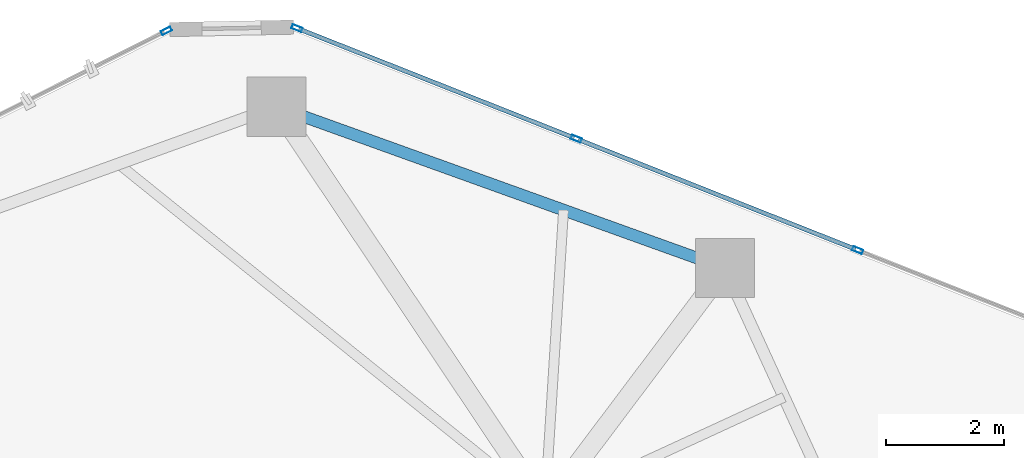
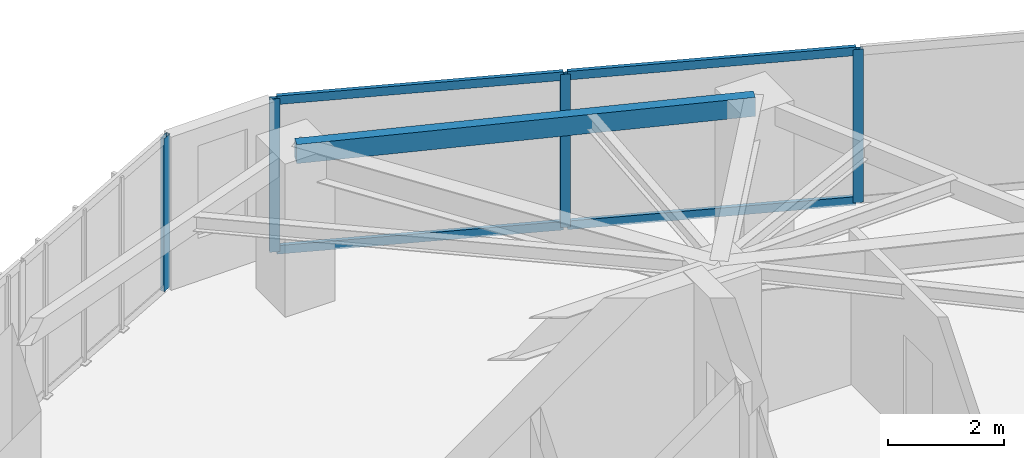
# One storey, part 14 of 20: 8 members, 1 beam, 2 elements without a shape of their own.
"""IFC4 building model written with IfcOpenShell, lengths in metres."""

from ifc_helpers import new_model, si_unit, direction, frame, origin, origin_2d, place, context, subcontext, project, spatial, hollow_rectangle, extrude, source, transform, mapped, material, layer, layer_set, material_profile, profile_set, type_object, type_shapes, element, aggregate, save


model = new_model("IFC4")

# Units and contexts
model_context = context("Model", 3, precision=1e-05, world=origin(), true_north=direction((0.0, 1.0)))
body_context = subcontext(model_context, "Body", "Model", "MODEL_VIEW")
ifc_project = project(units=[si_unit("LENGTHUNIT", "METRE"), si_unit("AREAUNIT", "SQUARE_METRE"), si_unit("VOLUMEUNIT", "CUBIC_METRE"), si_unit("PLANEANGLEUNIT", "RADIAN"), si_unit("MASSUNIT", "GRAM", prefix="KILO")], contexts=[model_context])

# Site, building, storey
site_placement = place(None, origin())
site = spatial("IfcSite", under=ifc_project, at=site_placement, CompositionType="ELEMENT")
building_placement = place(site_placement, origin())
building = spatial("IfcBuilding", under=site, at=building_placement, Name="Talar Marvaseh", CompositionType="ELEMENT")
storey_placement = place(building_placement, frame((0.0, 0.0, 170.5)))
storey = spatial("IfcBuildingStorey", under=building, at=storey_placement, Name="L44", CompositionType="ELEMENT", Elevation=170.5)

# Beam
ifc_material_1 = material(Name="Steel S355", Category="steel")
ifc_material_profile_1 = material_profile(ifc_material_1, hollow_rectangle(XDim=0.199951171875, YDim=0.39990234375, WallThickness=0.013916015625, at=origin_2d()), Name="RHS400x200x14")
ifc_profile_set_1 = profile_set([ifc_material_profile_1], Name="Steel S355")
beam_type = type_object("IfcBeamType", Name="Zone 3 Perimeter Spandrel Beam RHS400x200x14", PredefinedType="SPANDREL", material=ifc_profile_set_1)
beam_placement = place(storey_placement, frame((28.76611328125, 43.66796875, 3.030029296875), z_axis=(0.940923359576, -0.3386195969, 0.0), x_axis=(0.3386195969, 0.940923359576, 0.0)))
element("IfcBeam", 1, at=beam_placement, inside=storey, type_object=beam_type, Name="L44 Zone 3 Perimeter Spandrel Beam RHS400x200x14", PredefinedType="SPANDREL", context=body_context, shape_type="SweptSolid", body=[
    extrude(hollow_rectangle(XDim=0.199951171875, YDim=0.39990234375, WallThickness=0.013916015625, at=origin_2d()), origin(), (0.0, 0.0, 1.0), 8.050537109375),
])

# Curtain wall, member
ifc_material_2 = material(Name="Architectural Aluminium", Category="aluminium")
ifc_layer = layer(ifc_material_2, 0.18994140625)
ifc_layer_set = layer_set([ifc_layer], Name="Architectural Aluminium")
curtain_wall_type = type_object("IfcCurtainWallType", Name="Unitised Solar Atelier Curtain Wall Z3", PredefinedType="NOTDEFINED", material=ifc_layer_set)
curtain_wall_1_placement = place(storey_placement, origin())
curtain_wall_1 = element("IfcCurtainWall", 2, at=curtain_wall_1_placement, inside=storey, type_object=curtain_wall_type, Name="L44 Unitised Solar Atelier Curtain Wall Z3", PredefinedType="NOTDEFINED")
ifc_material_profile_2 = material_profile(ifc_material_2, hollow_rectangle(XDim=0.074951171875, YDim=0.179931640625, WallThickness=0.0048828125, at=origin_2d()), Name="RHS180x75x5")
ifc_profile_set_2 = profile_set([ifc_material_profile_2], Name="Architectural Aluminium")
member_type_1 = type_object("IfcMemberType", Name="Unitised Curtain Wall Standard Mullion RHS180x75x5", PredefinedType="MULLION", material=ifc_profile_set_2)
shared_shape_1 = source(origin(), body_context, "Body", "SweptSolid", [
    extrude(hollow_rectangle(XDim=0.074951171875, YDim=0.179931640625, WallThickness=0.0048828125, at=origin_2d()), origin(), (0.0, 0.0, 1.0), 3.22998046875),
])
type_shapes(member_type_1, [shared_shape_1])
member_1_placement = place(storey_placement, frame((26.90380859375, 44.949462890625, 0.0), z_axis=(0.0, 0.0, 1.0), x_axis=(-0.449042006912, 0.893510646847, 0.0)))
member_1 = element("IfcMember", 3, at=member_1_placement, type_object=member_type_1, Name="CW-Z3 mullion 4", PredefinedType="MULLION", context=body_context, shape_type="MappedRepresentation", body=[
    mapped(shared_shape_1, transform((0.0, 0.0, 0.0), x_axis=(1.0, 0.0, 0.0), y_axis=(0.0, 1.0, 0.0), z_axis=(0.0, 0.0, 1.0), scale=1.0)),
])
aggregate(curtain_wall_1, [member_1])

# Curtain wall, members
curtain_wall_2_placement = place(storey_placement, origin())
curtain_wall_2 = element("IfcCurtainWall", 4, at=curtain_wall_2_placement, inside=storey, type_object=curtain_wall_type, Name="L44 Unitised Solar Atelier Curtain Wall Z3", PredefinedType="NOTDEFINED")
member_2_placement = place(storey_placement, frame((29.109375, 44.99560546875, 0.0), z_axis=(0.0, 0.0, 1.0), x_axis=(0.368062306707, 0.929801128404, 0.0)))
member_2 = element("IfcMember", 5, at=member_2_placement, type_object=member_type_1, Name="CW-Z3 mullion 1", PredefinedType="MULLION", context=body_context, shape_type="MappedRepresentation", body=[
    mapped(shared_shape_1, transform((0.0, 0.0, 0.0), x_axis=(1.0, 0.0, 0.0), y_axis=(0.0, 1.0, 0.0), z_axis=(0.0, 0.0, 1.0), scale=1.0)),
])
member_3_placement = place(storey_placement, frame((33.82861328125, 43.12744140625, 0.0), z_axis=(0.0, 0.0, 1.0), x_axis=(0.368062306707, 0.929801128404, 0.0)))
member_3 = element("IfcMember", 6, at=member_3_placement, type_object=member_type_1, Name="CW-Z3 mullion 2", PredefinedType="MULLION", context=body_context, shape_type="MappedRepresentation", body=[
    mapped(shared_shape_1, transform((0.0, 0.0, 0.0), x_axis=(1.0, 0.0, 0.0), y_axis=(0.0, 1.0, 0.0), z_axis=(0.0, 0.0, 1.0), scale=1.0)),
])
member_4_placement = place(storey_placement, frame((38.58251953125, 41.24560546875, 0.0), z_axis=(0.0, 0.0, 1.0), x_axis=(0.368062306707, 0.929801128404, 0.0)))
member_4 = element("IfcMember", 7, at=member_4_placement, type_object=member_type_1, Name="CW-Z3 mullion 3", PredefinedType="MULLION", context=body_context, shape_type="MappedRepresentation", body=[
    mapped(shared_shape_1, transform((0.0, 0.0, 0.0), x_axis=(1.0, 0.0, 0.0), y_axis=(0.0, 1.0, 0.0), z_axis=(0.0, 0.0, 1.0), scale=1.0)),
])
ifc_material_profile_3 = material_profile(ifc_material_2, hollow_rectangle(XDim=0.074951171875, YDim=0.179931640625, WallThickness=0.0048828125, at=origin_2d()), Name="RHS180x75x5")
ifc_profile_set_3 = profile_set([ifc_material_profile_3], Name="Architectural Aluminium")
member_type_2 = type_object("IfcMemberType", Name="Unitised Curtain Wall Transom RHS180x75x5", PredefinedType="USERDEFINED", material=ifc_profile_set_3)
shared_shape_2 = source(origin(), body_context, "Body", "SweptSolid", [
    extrude(hollow_rectangle(XDim=0.074951171875, YDim=0.179931640625, WallThickness=0.0048828125, at=origin_2d()), origin(), (0.0, 0.0, 1.0), 5.0380859375),
])
member_5_placement = place(storey_placement, frame((33.863525390625, 43.11376953125, 0.03759765625), z_axis=(0.929804194592, -0.368054560792, 0.0), x_axis=(0.368054560792, 0.929804194592, 0.0)))
member_5 = element("IfcMember", 8, at=member_5_placement, type_object=member_type_2, Name="CW-Z3 transom 2.1", ObjectType="TRANSOM", PredefinedType="USERDEFINED", context=body_context, shape_type="MappedRepresentation", body=[
    mapped(shared_shape_2, transform((0.0, 0.0, 0.0), x_axis=(1.0, 0.0, 0.0), y_axis=(0.0, 1.0, 0.0), z_axis=(0.0, 0.0, 1.0), scale=1.0)),
])
member_6_placement = place(storey_placement, frame((33.863525390625, 43.11376953125, 3.1923828125), z_axis=(0.929804194592, -0.368054560792, 0.0), x_axis=(0.368054560792, 0.929804194592, 0.0)))
member_6 = element("IfcMember", 9, at=member_6_placement, type_object=member_type_2, Name="CW-Z3 transom 2.2", ObjectType="TRANSOM", PredefinedType="USERDEFINED", context=body_context, shape_type="MappedRepresentation", body=[
    mapped(shared_shape_2, transform((0.0, 0.0, 0.0), x_axis=(1.0, 0.0, 0.0), y_axis=(0.0, 1.0, 0.0), z_axis=(0.0, 0.0, 1.0), scale=1.0)),
])
shared_shape_3 = source(origin(), body_context, "Body", "SweptSolid", [
    extrude(hollow_rectangle(XDim=0.074951171875, YDim=0.179931640625, WallThickness=0.0048828125, at=origin_2d()), origin(), (0.0, 0.0, 1.0), 5.00048828125),
])
type_shapes(member_type_2, [shared_shape_2, shared_shape_3])
member_7_placement = place(storey_placement, frame((29.144287109375, 44.981689453125, 0.03759765625), z_axis=(0.929810790103, -0.36803789833, 0.0), x_axis=(0.36803789833, 0.929810790103, 0.0)))
member_7 = element("IfcMember", 10, at=member_7_placement, type_object=member_type_2, Name="CW-Z3 transom 1.1", ObjectType="TRANSOM", PredefinedType="USERDEFINED", context=body_context, shape_type="MappedRepresentation", body=[
    mapped(shared_shape_3, transform((0.0, 0.0, 0.0), x_axis=(1.0, 0.0, 0.0), y_axis=(0.0, 1.0, 0.0), z_axis=(0.0, 0.0, 1.0), scale=1.0)),
])
member_8_placement = place(storey_placement, frame((29.144287109375, 44.981689453125, 3.1923828125), z_axis=(0.929810790103, -0.36803789833, 0.0), x_axis=(0.36803789833, 0.929810790103, 0.0)))
member_8 = element("IfcMember", 11, at=member_8_placement, type_object=member_type_2, Name="CW-Z3 transom 1.2", ObjectType="TRANSOM", PredefinedType="USERDEFINED", context=body_context, shape_type="MappedRepresentation", body=[
    mapped(shared_shape_3, transform((0.0, 0.0, 0.0), x_axis=(1.0, 0.0, 0.0), y_axis=(0.0, 1.0, 0.0), z_axis=(0.0, 0.0, 1.0), scale=1.0)),
])
aggregate(curtain_wall_2, [member_2, member_3, member_4, member_7, member_8, member_5, member_6])

save(model, "model.ifc")
